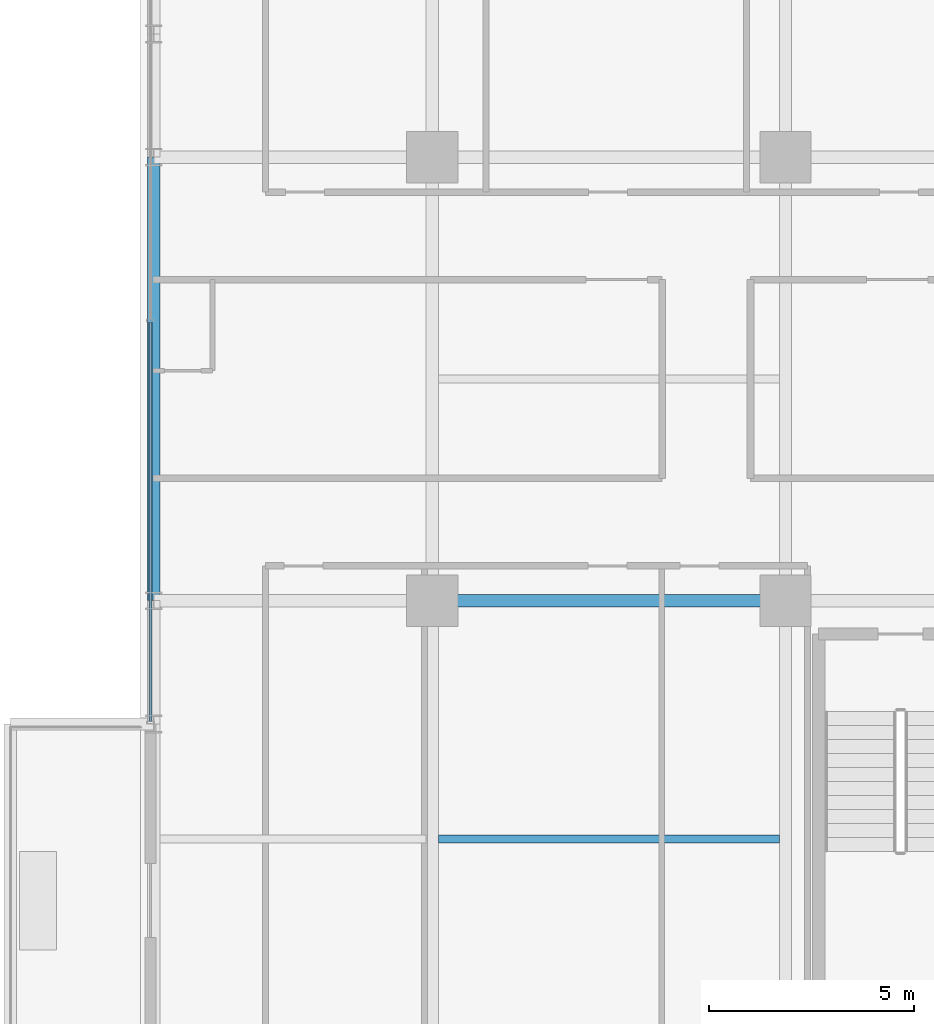
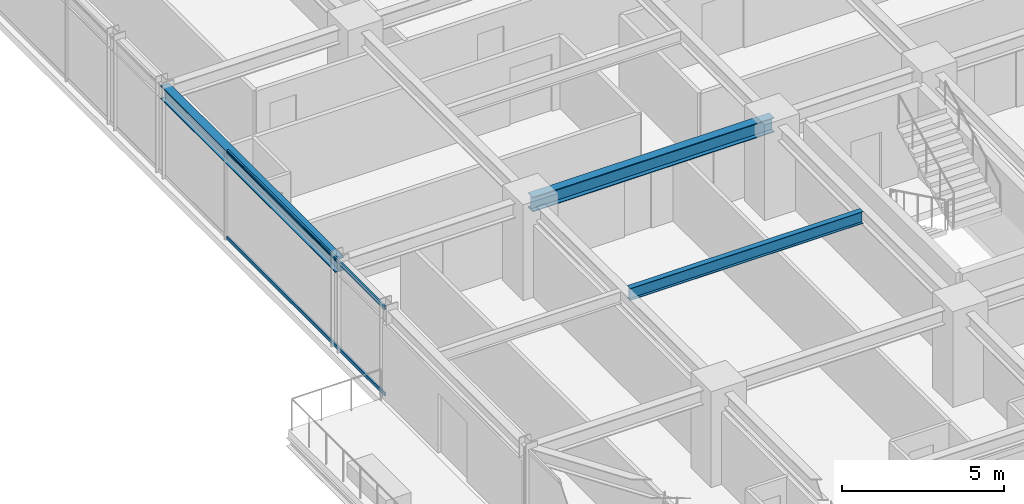
# One storey, part 8 of 32: 3 beams, 2 members, 1 element without a shape of its own.
"""IFC4 building model written with IfcOpenShell, lengths in metres."""

from ifc_helpers import new_model, si_unit, direction, frame, origin, origin_2d, place, context, subcontext, project, spatial, hollow_rectangle, i_section, extrude, source, transform, mapped, material, material_profile, profile_set, type_object, element, aggregate, save


model = new_model("IFC4")

# Units and contexts
model_context = context("Model", 3, precision=1e-05, world=origin(), true_north=direction((0.0, 1.0)))
body_context = subcontext(model_context, "Body", "Model", "MODEL_VIEW")
ifc_project = project(units=[si_unit("LENGTHUNIT", "METRE"), si_unit("AREAUNIT", "SQUARE_METRE"), si_unit("VOLUMEUNIT", "CUBIC_METRE"), si_unit("PLANEANGLEUNIT", "RADIAN"), si_unit("MASSUNIT", "GRAM", prefix="KILO")], contexts=[model_context])

# Site, building, storey
site_placement = place(None, origin())
site = spatial("IfcSite", under=ifc_project, at=site_placement, CompositionType="ELEMENT")
building_placement = place(site_placement, origin())
building = spatial("IfcBuilding", under=site, at=building_placement, Name="Nahalor Promenade Grand Hotel", CompositionType="ELEMENT")
storey_placement = place(building_placement, frame((0.0, 0.0, 124.800048828125)))
storey = spatial("IfcBuildingStorey", under=building, at=storey_placement, Name="L31", CompositionType="ELEMENT", Elevation=124.800048828125)

# Beams
ifc_material_1 = material(Name="Steel S355JR", Category="steel")
ifc_material_profile_1 = material_profile(ifc_material_1, i_section(OverallWidth=0.3, OverallDepth=0.5, WebThickness=0.0145, FlangeThickness=0.028, at=origin_2d()), Name="HEB 500")
ifc_profile_set_1 = profile_set([ifc_material_profile_1], Name="Steel S355JR")
beam_type_1 = type_object("IfcBeamType", Name="Beam-Spandrel-HEB500", PredefinedType="SPANDREL", material=ifc_profile_set_1)
shared_shape_1 = source(origin(), body_context, "Body", "SweptSolid", [
    extrude(i_section(OverallWidth=0.3, OverallDepth=0.5, WebThickness=0.0145, FlangeThickness=0.028, at=origin_2d()), origin(), (0.0, 0.0, 1.0), 10.7998046875),
])
beam_1_placement = place(storey_placement, frame((-23.780029296875, -5.39990234375, 3.1298828125), z_axis=(0.0, 1.0, 0.0), x_axis=(-1.0, 0.0, 0.0)))
element("IfcBeam", 1, at=beam_1_placement, inside=storey, type_object=beam_type_1, Name="BM-L31-SP-W-2", PredefinedType="SPANDREL", context=body_context, shape_type="MappedRepresentation", body=[
    mapped(shared_shape_1, transform((0.0, 0.0, 0.0), scale=1.0)),
])
ifc_material_profile_2 = material_profile(ifc_material_1, i_section(OverallWidth=0.3, OverallDepth=0.55, WebThickness=0.015, FlangeThickness=0.029, at=origin_2d()), Name="HEB 550")
ifc_profile_set_2 = profile_set([ifc_material_profile_2], Name="Steel S355JR")
beam_type_2 = type_object("IfcBeamType", Name="Beam-Girder-HEB550", PredefinedType="BEAM", material=ifc_profile_set_2)
shared_shape_2 = source(origin(), body_context, "Body", "SweptSolid", [
    extrude(i_section(OverallWidth=0.3, OverallDepth=0.55, WebThickness=0.015, FlangeThickness=0.029, at=origin_2d()), origin(), (0.0, 0.0, 1.0), 8.60009765625),
])
beam_2_placement = place(storey_placement, frame((-17.0, -5.39990234375, 3.10498046875), z_axis=(1.0, 0.0, 0.0), x_axis=(0.0, 1.0, 0.0)))
element("IfcBeam", 2, at=beam_2_placement, inside=storey, type_object=beam_type_2, Name="BM-L31-GX-1-1", PredefinedType="BEAM", context=body_context, shape_type="MappedRepresentation", body=[
    mapped(shared_shape_2, transform((0.0, 0.0, 0.0), scale=1.0)),
])
ifc_material_profile_3 = material_profile(ifc_material_1, i_section(OverallWidth=0.19, OverallDepth=0.45, WebThickness=0.0094, FlangeThickness=0.0146, at=origin_2d()), Name="IPE 450")
ifc_profile_set_3 = profile_set([ifc_material_profile_3], Name="Steel S355JR")
beam_type_3 = type_object("IfcBeamType", Name="Beam-Joist-IPE450", PredefinedType="JOIST", material=ifc_profile_set_3)
shared_shape_3 = source(origin(), body_context, "Body", "SweptSolid", [
    extrude(i_section(OverallWidth=0.19, OverallDepth=0.45, WebThickness=0.0094, FlangeThickness=0.0146, at=origin_2d()), origin(), (0.0, 0.0, 1.0), 8.300048828125),
])
beam_3_placement = place(storey_placement, frame((-16.85009765625, -11.199951171875, 3.155029296875), z_axis=(1.0, 0.0, 0.0), x_axis=(0.0, 1.0, 0.0)))
element("IfcBeam", 3, at=beam_3_placement, inside=storey, type_object=beam_type_3, Name="BM-L31-JSW-0-1", PredefinedType="JOIST", context=body_context, shape_type="MappedRepresentation", body=[
    mapped(shared_shape_3, transform((0.0, 0.0, 0.0), scale=1.0)),
])

# Curtain wall, members
ifc_material_2 = material(Name="Anodised Bronze Aluminium EN AW-6063 T6", Category="aluminium")
curtain_wall_type = type_object("IfcCurtainWallType", Name="CW2 Typical Hotel Flush Bronze Unitised Curtain Wall", PredefinedType="USERDEFINED", material=ifc_material_2)
curtain_wall_placement = place(storey_placement, origin())
curtain_wall = element("IfcCurtainWall", 4, at=curtain_wall_placement, inside=storey, type_object=curtain_wall_type, Name="L31 Curtain Wall CW-L31-W-3", ObjectType="UNITISED_CURTAIN_WALL", PredefinedType="USERDEFINED")
ifc_material_profile_4 = material_profile(ifc_material_2, hollow_rectangle(XDim=0.065, YDim=0.13, WallThickness=0.004, at=origin_2d()), Name="CWT 65x130x4")
ifc_profile_set_4 = profile_set([ifc_material_profile_4], Name="Anodised Bronze Aluminium EN AW-6063 T6")
member_type = type_object("IfcMemberType", Name="CWT2 Typical Bronze Transom 65x130", PredefinedType="USERDEFINED", material=ifc_profile_set_4)
shared_shape_4 = source(origin(), body_context, "Body", "SweptSolid", [
    extrude(hollow_rectangle(XDim=0.065, YDim=0.13, WallThickness=0.004, at=origin_2d()), origin(), (0.0, 0.0, 1.0), 9.722412109375),
])
member_1_placement = place(storey_placement, frame((-23.860107421875, -8.3349609375, 0.06494140625), z_axis=(0.0, 1.0, 0.0), x_axis=(-1.0, 0.0, 0.0)))
member_1 = element("IfcMember", 5, at=member_1_placement, type_object=member_type, Name="CW-L31-W-3 Transom 0-0", ObjectType="TRANSOM", PredefinedType="USERDEFINED", context=body_context, shape_type="MappedRepresentation", body=[
    mapped(shared_shape_4, transform((0.0, 0.0, 0.0), scale=1.0)),
])
member_2_placement = place(storey_placement, frame((-23.860107421875, -8.3349609375, 3.31494140625), z_axis=(0.0, 1.0, 0.0), x_axis=(-1.0, 0.0, 0.0)))
member_2 = element("IfcMember", 6, at=member_2_placement, type_object=member_type, Name="CW-L31-W-3 Transom 0-1", ObjectType="TRANSOM", PredefinedType="USERDEFINED", context=body_context, shape_type="MappedRepresentation", body=[
    mapped(shared_shape_4, transform((0.0, 0.0, 0.0), scale=1.0)),
])
aggregate(curtain_wall, [member_1, member_2])

save(model, "model.ifc")
